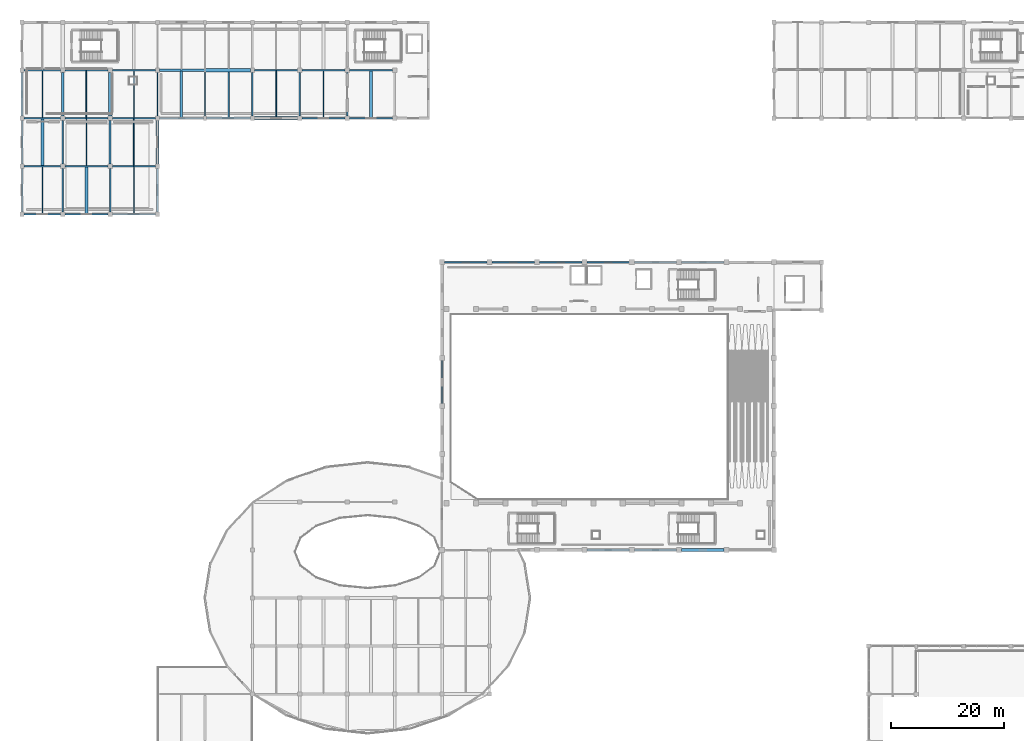
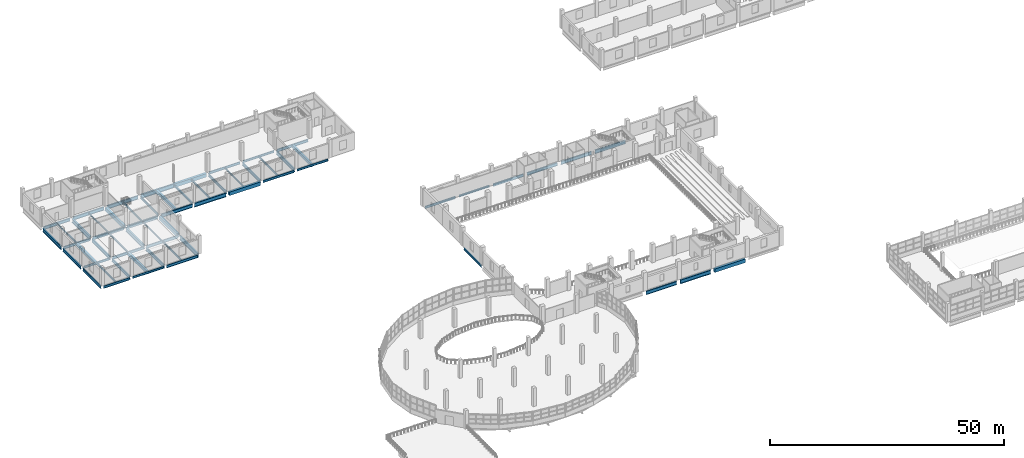
# One storey, part 24 of 77: 62 beams.
"""IFC4 building model written with IfcOpenShell, lengths in metres."""

from ifc_helpers import new_model, si_unit, direction, frame, origin, origin_2d, place, context, subcontext, project, spatial, rectangle, i_section, extrude, material, material_profile, profile_set, type_object, element, save


model = new_model("IFC4")

# Units and contexts
model_context = context("Model", 3, precision=1e-05, world=origin(), true_north=direction((0.0, 1.0)))
body_context = subcontext(model_context, "Body", "Model", "MODEL_VIEW")
ifc_project = project(units=[si_unit("LENGTHUNIT", "METRE"), si_unit("AREAUNIT", "SQUARE_METRE"), si_unit("VOLUMEUNIT", "CUBIC_METRE"), si_unit("PLANEANGLEUNIT", "RADIAN"), si_unit("MASSUNIT", "GRAM", prefix="KILO")], contexts=[model_context])

# Site, building, storey
site_placement = place(None, origin())
site = spatial("IfcSite", under=ifc_project, at=site_placement, CompositionType="ELEMENT")
building_placement = place(site_placement, origin())
building = spatial("IfcBuilding", under=site, at=building_placement, Name="Solvento Point Concert Hall", CompositionType="ELEMENT")
storey_placement = place(building_placement, frame((0.0, 0.0, 10.199951171875)))
storey = spatial("IfcBuildingStorey", under=building, at=storey_placement, Name="L02", CompositionType="ELEMENT", Elevation=10.199951171875)

# Beams
ifc_material_1 = material(Name="Concrete C35/45", Category="concrete")
ifc_material_profile_1 = material_profile(ifc_material_1, rectangle(XDim=0.47998046875, YDim=0.780029296875, at=origin_2d()), Name="RC-BM-480X780")
ifc_profile_set_1 = profile_set([ifc_material_profile_1], Name="Concrete C35/45")
beam_type_1 = type_object("IfcBeamType", Name="Beam_RC_480x780", PredefinedType="BEAM", material=ifc_profile_set_1)
for number, where, z_axis, x_axis, name in (
    (1, (3.60009765625, 110.592041015625, -0.723876953125), (0.0, 1.0, 0.0), (-1.0, 0.0, 0.0), "Secondary floor joist B-74 L02"),
    (2, (11.39990234375, 102.092041015625, -0.723876953125), (0.0, 1.0, 0.0), (-1.0, 0.0, 0.0), "Secondary floor joist B-74 L02"),
):
    element("IfcBeam", number, at=place(storey_placement, frame(where, z_axis=z_axis, x_axis=x_axis)), inside=storey, type_object=beam_type_1, Name=name, PredefinedType="BEAM", context=body_context, shape_type="SweptSolid", body=[
        extrude(rectangle(XDim=0.47998046875, YDim=0.780029296875, at=origin_2d()), origin(), (0.0, 0.0, 1.0), 8.294921875),
    ])
beam_1_placement = place(storey_placement, frame((28.199951171875, 119.138916015625, -0.6640625), z_axis=(0.0, 1.0, 0.0), x_axis=(-1.0, 0.0, 0.0)))
element("IfcBeam", 3, at=beam_1_placement, inside=storey, type_object=beam_type_1, Name="Secondary floor joist B-74 L02", PredefinedType="BEAM", context=body_context, shape_type="SweptSolid", body=[
    extrude(rectangle(XDim=0.47998046875, YDim=0.780029296875, at=origin_2d()), origin(), (0.0, 0.0, 1.0), 8.195556640625),
])
beam_2_placement = place(storey_placement, frame((61.800048828125, 119.092041015625, -0.6640625), z_axis=(0.0, 1.0, 0.0), x_axis=(-1.0, 0.0, 0.0)))
element("IfcBeam", 4, at=beam_2_placement, inside=storey, type_object=beam_type_1, Name="Secondary floor joist B-74 L02", PredefinedType="BEAM", context=body_context, shape_type="SweptSolid", body=[
    extrude(rectangle(XDim=0.47998046875, YDim=0.780029296875, at=origin_2d()), origin(), (0.0, 0.0, 1.0), 8.294921875),
])
ifc_material_2 = material(Name="Structural Steel ASTM A992 Grade 50", Category="steel")
ifc_material_profile_2 = material_profile(ifc_material_2, i_section(OverallWidth=0.20947265625, OverallDepth=0.532958984375, WebThickness=0.01025390625, FlangeThickness=0.015625, at=origin_2d()), Name="W21X62")
ifc_profile_set_2 = profile_set([ifc_material_profile_2], Name="Structural Steel ASTM A992 Grade 50")
beam_type_2 = type_object("IfcBeamType", Name="Beam_W21X62", PredefinedType="BEAM", material=ifc_profile_set_2)
beam_3_placement = place(storey_placement, frame((3.60009765625, 102.09912109375, -0.600341796875), z_axis=(0.0, 1.0, 0.0), x_axis=(-1.0, 0.0, 0.0)))
element("IfcBeam", 5, at=beam_3_placement, inside=storey, type_object=beam_type_2, Name="Secondary floor joist B-25 L02", PredefinedType="BEAM", context=body_context, shape_type="SweptSolid", body=[
    extrude(i_section(OverallWidth=0.20947265625, OverallDepth=0.532958984375, WebThickness=0.01025390625, FlangeThickness=0.015625, at=origin_2d()), origin(), (0.0, 0.0, 1.0), 8.308837890625),
])
beam_4_placement = place(storey_placement, frame((19.800048828125, 119.131103515625, -0.600341796875), z_axis=(0.0, 1.0, 0.0), x_axis=(-1.0, 0.0, 0.0)))
element("IfcBeam", 6, at=beam_4_placement, inside=storey, type_object=beam_type_2, Name="Secondary floor joist B-25 L02", PredefinedType="BEAM", context=body_context, shape_type="SweptSolid", body=[
    extrude(i_section(OverallWidth=0.20947265625, OverallDepth=0.532958984375, WebThickness=0.01025390625, FlangeThickness=0.015625, at=origin_2d()), origin(), (0.0, 0.0, 1.0), 8.22998046875),
])
beam_5_placement = place(storey_placement, frame((53.39990234375, 119.09912109375, -0.54052734375), z_axis=(0.0, 1.0, 0.0), x_axis=(-1.0, 0.0, 0.0)))
element("IfcBeam", 7, at=beam_5_placement, inside=storey, type_object=beam_type_2, Name="Secondary floor joist B-25 L02", PredefinedType="BEAM", context=body_context, shape_type="SweptSolid", body=[
    extrude(i_section(OverallWidth=0.20947265625, OverallDepth=0.532958984375, WebThickness=0.01025390625, FlangeThickness=0.015625, at=origin_2d()), origin(), (0.0, 0.0, 1.0), 8.308837890625),
])
ifc_material_3 = material(Name="Structural Steel ASTM A992 Grade 50", Category="steel")
ifc_material_profile_3 = material_profile(ifc_material_3, i_section(OverallWidth=0.214111328125, OverallDepth=0.549072265625, WebThickness=0.0146484375, FlangeThickness=0.023681640625, at=origin_2d()), Name="W21X93")
ifc_profile_set_3 = profile_set([ifc_material_profile_3], Name="Structural Steel ASTM A992 Grade 50")
beam_type_3 = type_object("IfcBeamType", Name="Beam_W21X93", PredefinedType="BEAM", material=ifc_profile_set_3)
beam_6_placement = place(storey_placement, frame((83.243896484375, 93.5, -0.718505859375), z_axis=(1.0, 0.0, 0.0), x_axis=(0.0, 1.0, 0.0)))
element("IfcBeam", 8, at=beam_6_placement, inside=storey, type_object=beam_type_3, Name="Primary girder B-48 L02", PredefinedType="BEAM", context=body_context, shape_type="SweptSolid", body=[
    extrude(i_section(OverallWidth=0.214111328125, OverallDepth=0.549072265625, WebThickness=0.0146484375, FlangeThickness=0.023681640625, at=origin_2d()), origin(), (0.0, 0.0, 1.0), 7.51220703125),
])
beam_7_placement = place(storey_placement, frame((7.569091796875, 102.0, -0.6083984375), z_axis=(1.0, 0.0, 0.0), x_axis=(0.0, 1.0, 0.0)))
element("IfcBeam", 9, at=beam_7_placement, inside=storey, type_object=beam_type_3, Name="Primary girder B-48 L02", PredefinedType="BEAM", context=body_context, shape_type="SweptSolid", body=[
    extrude(i_section(OverallWidth=0.214111328125, OverallDepth=0.549072265625, WebThickness=0.0146484375, FlangeThickness=0.023681640625, at=origin_2d()), origin(), (0.0, 0.0, 1.0), 7.661865234375),
])
beam_8_placement = place(storey_placement, frame((0.368896484375, 110.5, -0.6083984375), z_axis=(1.0, 0.0, 0.0), x_axis=(0.0, 1.0, 0.0)))
element("IfcBeam", 10, at=beam_8_placement, inside=storey, type_object=beam_type_3, Name="Primary girder B-48 L02", PredefinedType="BEAM", context=body_context, shape_type="SweptSolid", body=[
    extrude(i_section(OverallWidth=0.214111328125, OverallDepth=0.549072265625, WebThickness=0.0146484375, FlangeThickness=0.023681640625, at=origin_2d()), origin(), (0.0, 0.0, 1.0), 6.462158203125),
])
beam_9_placement = place(storey_placement, frame((57.968994140625, 119.0, -0.54833984375), z_axis=(1.0, 0.0, 0.0), x_axis=(0.0, 1.0, 0.0)))
element("IfcBeam", 11, at=beam_9_placement, inside=storey, type_object=beam_type_3, Name="Primary girder B-48 L02", PredefinedType="BEAM", context=body_context, shape_type="SweptSolid", body=[
    extrude(i_section(OverallWidth=0.214111328125, OverallDepth=0.549072265625, WebThickness=0.0146484375, FlangeThickness=0.023681640625, at=origin_2d()), origin(), (0.0, 0.0, 1.0), 7.662109375),
])
beam_10_placement = place(storey_placement, frame((49.569091796875, 127.5, -0.54833984375), z_axis=(1.0, 0.0, 0.0), x_axis=(0.0, 1.0, 0.0)))
element("IfcBeam", 12, at=beam_10_placement, inside=storey, type_object=beam_type_3, Name="Primary girder B-48 L02", PredefinedType="BEAM", context=body_context, shape_type="SweptSolid", body=[
    extrude(i_section(OverallWidth=0.214111328125, OverallDepth=0.549072265625, WebThickness=0.0146484375, FlangeThickness=0.023681640625, at=origin_2d()), origin(), (0.0, 0.0, 1.0), 7.661865234375),
])
beam_11_placement = place(storey_placement, frame((32.39990234375, 119.39404296875, -0.54833984375), z_axis=(0.0, 1.0, 0.0), x_axis=(-1.0, 0.0, 0.0)))
element("IfcBeam", 13, at=beam_11_placement, inside=storey, type_object=beam_type_3, Name="Primary girder B-48 L02", PredefinedType="BEAM", context=body_context, shape_type="SweptSolid", body=[
    extrude(i_section(OverallWidth=0.214111328125, OverallDepth=0.549072265625, WebThickness=0.0146484375, FlangeThickness=0.023681640625, at=origin_2d()), origin(), (0.0, 0.0, 1.0), 7.88037109375),
])
ifc_material_4 = material(Name="Structural Steel ASTM A992 Grade 50", Category="steel")
ifc_material_profile_4 = material_profile(ifc_material_4, i_section(OverallWidth=0.228515625, OverallDepth=0.60791015625, WebThickness=0.01123046875, FlangeThickness=0.017333984375, at=origin_2d()), Name="W24X76")
ifc_profile_set_4 = profile_set([ifc_material_profile_4], Name="Structural Steel ASTM A992 Grade 50")
beam_type_4 = type_object("IfcBeamType", Name="Beam_W24X76", PredefinedType="BEAM", material=ifc_profile_set_4)
beam_12_placement = place(storey_placement, frame((74.843994140625, 93.5, -0.748046875), z_axis=(1.0, 0.0, 0.0), x_axis=(0.0, 1.0, 0.0)))
element("IfcBeam", 14, at=beam_12_placement, inside=storey, type_object=beam_type_4, Name="Primary girder B-42 L02", PredefinedType="BEAM", context=body_context, shape_type="SweptSolid", body=[
    extrude(i_section(OverallWidth=0.228515625, OverallDepth=0.60791015625, WebThickness=0.01123046875, FlangeThickness=0.017333984375, at=origin_2d()), origin(), (0.0, 0.0, 1.0), 7.511962890625),
])
beam_13_placement = place(storey_placement, frame((0.368896484375, 102.0, -0.637939453125), z_axis=(1.0, 0.0, 0.0), x_axis=(0.0, 1.0, 0.0)))
element("IfcBeam", 15, at=beam_13_placement, inside=storey, type_object=beam_type_4, Name="Primary girder B-42 L02", PredefinedType="BEAM", context=body_context, shape_type="SweptSolid", body=[
    extrude(i_section(OverallWidth=0.228515625, OverallDepth=0.60791015625, WebThickness=0.01123046875, FlangeThickness=0.017333984375, at=origin_2d()), origin(), (0.0, 0.0, 1.0), 6.462158203125),
])
beam_14_placement = place(storey_placement, frame((49.569091796875, 119.0, -0.577880859375), z_axis=(1.0, 0.0, 0.0), x_axis=(0.0, 1.0, 0.0)))
element("IfcBeam", 16, at=beam_14_placement, inside=storey, type_object=beam_type_4, Name="Primary girder B-42 L02", PredefinedType="BEAM", context=body_context, shape_type="SweptSolid", body=[
    extrude(i_section(OverallWidth=0.228515625, OverallDepth=0.60791015625, WebThickness=0.01123046875, FlangeThickness=0.017333984375, at=origin_2d()), origin(), (0.0, 0.0, 1.0), 7.661865234375),
])
beam_15_placement = place(storey_placement, frame((41.1689453125, 127.5, -0.577880859375), z_axis=(1.0, 0.0, 0.0), x_axis=(0.0, 1.0, 0.0)))
element("IfcBeam", 17, at=beam_15_placement, inside=storey, type_object=beam_type_4, Name="Primary girder B-42 L02", PredefinedType="BEAM", context=body_context, shape_type="SweptSolid", body=[
    extrude(i_section(OverallWidth=0.228515625, OverallDepth=0.60791015625, WebThickness=0.01123046875, FlangeThickness=0.017333984375, at=origin_2d()), origin(), (0.0, 0.0, 1.0), 7.662109375),
])
beam_16_placement = place(storey_placement, frame((24.0, 119.368896484375, -0.577880859375), z_axis=(0.0, 1.0, 0.0), x_axis=(-1.0, 0.0, 0.0)))
element("IfcBeam", 18, at=beam_16_placement, inside=storey, type_object=beam_type_4, Name="Primary girder B-42 L02", PredefinedType="BEAM", context=body_context, shape_type="SweptSolid", body=[
    extrude(i_section(OverallWidth=0.228515625, OverallDepth=0.60791015625, WebThickness=0.01123046875, FlangeThickness=0.017333984375, at=origin_2d()), origin(), (0.0, 0.0, 1.0), 7.76220703125),
])
beam_17_placement = place(storey_placement, frame((74.39990234375, 68.444091796875, -0.748046875), z_axis=(0.0, 1.0, 0.0), x_axis=(-1.0, 0.0, 0.0)))
element("IfcBeam", 19, at=beam_17_placement, inside=storey, type_object=beam_type_4, Name="Primary girder B-42 L02", PredefinedType="BEAM", context=body_context, shape_type="SweptSolid", body=[
    extrude(i_section(OverallWidth=0.228515625, OverallDepth=0.60791015625, WebThickness=0.01123046875, FlangeThickness=0.017333984375, at=origin_2d()), origin(), (0.0, 0.0, 1.0), 7.61181640625),
])
ifc_material_5 = material(Name="Concrete C35/45", Category="concrete")
ifc_material_profile_5 = material_profile(ifc_material_5, rectangle(XDim=0.580078125, YDim=0.919921875, at=origin_2d()), Name="RC-BM-580X920")
ifc_profile_set_5 = profile_set([ifc_material_profile_5], Name="Concrete C35/45")
beam_type_5 = type_object("IfcBeamType", Name="Girder_RC_580x920", PredefinedType="USERDEFINED", material=ifc_profile_set_5)
beam_18_placement = place(storey_placement, frame((116.843994140625, 42.5, -0.904052734375), z_axis=(1.0, 0.0, 0.0), x_axis=(0.0, 1.0, 0.0)))
element("IfcBeam", 20, at=beam_18_placement, inside=storey, type_object=beam_type_5, Name="Primary girder B-95 L02", ObjectType="GIRDER", PredefinedType="USERDEFINED", context=body_context, shape_type="SweptSolid", body=[
    extrude(rectangle(XDim=0.580078125, YDim=0.919921875, at=origin_2d()), origin(), (0.0, 0.0, 1.0), 7.511962890625),
])
beam_19_placement = place(storey_placement, frame((41.1689453125, 119.0, -0.73388671875), z_axis=(1.0, 0.0, 0.0), x_axis=(0.0, 1.0, 0.0)))
element("IfcBeam", 21, at=beam_19_placement, inside=storey, type_object=beam_type_5, Name="Primary girder B-95 L02", ObjectType="GIRDER", PredefinedType="USERDEFINED", context=body_context, shape_type="SweptSolid", body=[
    extrude(rectangle(XDim=0.580078125, YDim=0.919921875, at=origin_2d()), origin(), (0.0, 0.0, 1.0), 7.662109375),
])
beam_20_placement = place(storey_placement, frame((32.39990234375, 127.5, -0.73388671875), z_axis=(1.0, 0.0, 0.0), x_axis=(0.0, 1.0, 0.0)))
element("IfcBeam", 22, at=beam_20_placement, inside=storey, type_object=beam_type_5, Name="Primary girder B-95 L02", ObjectType="GIRDER", PredefinedType="USERDEFINED", context=body_context, shape_type="SweptSolid", body=[
    extrude(rectangle(XDim=0.580078125, YDim=0.919921875, at=origin_2d()), origin(), (0.0, 0.0, 1.0), 8.031005859375),
])
for number, where, z_axis, x_axis, name in (
    (23, (15.60009765625, 119.368896484375, -0.73388671875), (0.0, 1.0, 0.0), (-1.0, 0.0, 0.0), "Primary girder B-95 L02"),
    (24, (24.0, 110.868896484375, -0.7939453125), (0.0, 1.0, 0.0), (-1.0, 0.0, 0.0), "Primary girder B-95 L02"),
):
    element("IfcBeam", number, at=place(storey_placement, frame(where, z_axis=z_axis, x_axis=x_axis)), inside=storey, type_object=beam_type_5, Name=name, ObjectType="GIRDER", PredefinedType="USERDEFINED", context=body_context, shape_type="SweptSolid", body=[
        extrude(rectangle(XDim=0.580078125, YDim=0.919921875, at=origin_2d()), origin(), (0.0, 0.0, 1.0), 7.76220703125),
    ])
ifc_material_6 = material(Name="Structural Steel ASTM A992 Grade 50", Category="steel")
ifc_material_profile_6 = material_profile(ifc_material_6, i_section(OverallWidth=0.256103515625, OverallDepth=0.693115234375, WebThickness=0.014404296875, FlangeThickness=0.023681640625, at=origin_2d()), Name="W27X114")
ifc_profile_set_6 = profile_set([ifc_material_profile_6], Name="Structural Steel ASTM A992 Grade 50")
beam_type_6 = type_object("IfcBeamType", Name="Girder_W27X114", PredefinedType="USERDEFINED", material=ifc_profile_set_6)
beam_21_placement = place(storey_placement, frame((91.64404296875, 93.5, -0.79052734375), z_axis=(1.0, 0.0, 0.0), x_axis=(0.0, 1.0, 0.0)))
element("IfcBeam", 25, at=beam_21_placement, inside=storey, type_object=beam_type_6, Name="Primary girder B-23 L02", ObjectType="GIRDER", PredefinedType="USERDEFINED", context=body_context, shape_type="SweptSolid", body=[
    extrude(i_section(OverallWidth=0.256103515625, OverallDepth=0.693115234375, WebThickness=0.014404296875, FlangeThickness=0.023681640625, at=origin_2d()), origin(), (0.0, 0.0, 1.0), 7.511962890625),
])
beam_22_placement = place(storey_placement, frame((15.968994140625, 102.0, -0.680419921875), z_axis=(1.0, 0.0, 0.0), x_axis=(0.0, 1.0, 0.0)))
element("IfcBeam", 26, at=beam_22_placement, inside=storey, type_object=beam_type_6, Name="Primary girder B-23 L02", ObjectType="GIRDER", PredefinedType="USERDEFINED", context=body_context, shape_type="SweptSolid", body=[
    extrude(i_section(OverallWidth=0.256103515625, OverallDepth=0.693115234375, WebThickness=0.014404296875, FlangeThickness=0.023681640625, at=origin_2d()), origin(), (0.0, 0.0, 1.0), 7.662109375),
])
beam_23_placement = place(storey_placement, frame((7.569091796875, 110.5, -0.680419921875), z_axis=(1.0, 0.0, 0.0), x_axis=(0.0, 1.0, 0.0)))
element("IfcBeam", 27, at=beam_23_placement, inside=storey, type_object=beam_type_6, Name="Primary girder B-23 L02", ObjectType="GIRDER", PredefinedType="USERDEFINED", context=body_context, shape_type="SweptSolid", body=[
    extrude(i_section(OverallWidth=0.256103515625, OverallDepth=0.693115234375, WebThickness=0.014404296875, FlangeThickness=0.023681640625, at=origin_2d()), origin(), (0.0, 0.0, 1.0), 7.661865234375),
])
beam_24_placement = place(storey_placement, frame((0.368896484375, 119.0, -0.680419921875), z_axis=(1.0, 0.0, 0.0), x_axis=(0.0, 1.0, 0.0)))
element("IfcBeam", 28, at=beam_24_placement, inside=storey, type_object=beam_type_6, Name="Primary girder B-23 L02", ObjectType="GIRDER", PredefinedType="USERDEFINED", context=body_context, shape_type="SweptSolid", body=[
    extrude(i_section(OverallWidth=0.256103515625, OverallDepth=0.693115234375, WebThickness=0.014404296875, FlangeThickness=0.023681640625, at=origin_2d()), origin(), (0.0, 0.0, 1.0), 6.462158203125),
])
beam_25_placement = place(storey_placement, frame((57.968994140625, 127.5, -0.620361328125), z_axis=(1.0, 0.0, 0.0), x_axis=(0.0, 1.0, 0.0)))
element("IfcBeam", 29, at=beam_25_placement, inside=storey, type_object=beam_type_6, Name="Primary girder B-23 L02", ObjectType="GIRDER", PredefinedType="USERDEFINED", context=body_context, shape_type="SweptSolid", body=[
    extrude(i_section(OverallWidth=0.256103515625, OverallDepth=0.693115234375, WebThickness=0.014404296875, FlangeThickness=0.023681640625, at=origin_2d()), origin(), (0.0, 0.0, 1.0), 7.662109375),
])
beam_26_placement = place(storey_placement, frame((40.800048828125, 119.368896484375, -0.620361328125), z_axis=(0.0, 1.0, 0.0), x_axis=(-1.0, 0.0, 0.0)))
element("IfcBeam", 30, at=beam_26_placement, inside=storey, type_object=beam_type_6, Name="Primary girder B-23 L02", ObjectType="GIRDER", PredefinedType="USERDEFINED", context=body_context, shape_type="SweptSolid", body=[
    extrude(i_section(OverallWidth=0.256103515625, OverallDepth=0.693115234375, WebThickness=0.014404296875, FlangeThickness=0.023681640625, at=origin_2d()), origin(), (0.0, 0.0, 1.0), 7.76220703125),
])
ifc_material_7 = material(Name="Structural Steel ASTM A992 Grade 50", Category="steel")
ifc_material_profile_7 = material_profile(ifc_material_7, i_section(OverallWidth=0.26806640625, OverallDepth=0.77001953125, WebThickness=0.015625, FlangeThickness=0.025390625, at=origin_2d()), Name="W30X132")
ifc_profile_set_7 = profile_set([ifc_material_profile_7], Name="Structural Steel ASTM A992 Grade 50")
beam_type_7 = type_object("IfcBeamType", Name="Girder_W30X132", PredefinedType="USERDEFINED", material=ifc_profile_set_7)
beam_27_placement = place(storey_placement, frame((100.0439453125, 93.5, -0.828857421875), z_axis=(1.0, 0.0, 0.0), x_axis=(0.0, 1.0, 0.0)))
element("IfcBeam", 31, at=beam_27_placement, inside=storey, type_object=beam_type_7, Name="Primary girder B-68 L02", ObjectType="GIRDER", PredefinedType="USERDEFINED", context=body_context, shape_type="SweptSolid", body=[
    extrude(i_section(OverallWidth=0.26806640625, OverallDepth=0.77001953125, WebThickness=0.015625, FlangeThickness=0.025390625, at=origin_2d()), origin(), (0.0, 0.0, 1.0), 7.511962890625),
])
beam_28_placement = place(storey_placement, frame((15.968994140625, 110.5, -0.718994140625), z_axis=(1.0, 0.0, 0.0), x_axis=(0.0, 1.0, 0.0)))
element("IfcBeam", 32, at=beam_28_placement, inside=storey, type_object=beam_type_7, Name="Primary girder B-68 L02", ObjectType="GIRDER", PredefinedType="USERDEFINED", context=body_context, shape_type="SweptSolid", body=[
    extrude(i_section(OverallWidth=0.26806640625, OverallDepth=0.77001953125, WebThickness=0.015625, FlangeThickness=0.025390625, at=origin_2d()), origin(), (0.0, 0.0, 1.0), 7.662109375),
])
beam_29_placement = place(storey_placement, frame((7.569091796875, 119.0, -0.718994140625), z_axis=(1.0, 0.0, 0.0), x_axis=(0.0, 1.0, 0.0)))
element("IfcBeam", 33, at=beam_29_placement, inside=storey, type_object=beam_type_7, Name="Primary girder B-68 L02", ObjectType="GIRDER", PredefinedType="USERDEFINED", context=body_context, shape_type="SweptSolid", body=[
    extrude(i_section(OverallWidth=0.26806640625, OverallDepth=0.77001953125, WebThickness=0.015625, FlangeThickness=0.025390625, at=origin_2d()), origin(), (0.0, 0.0, 1.0), 7.661865234375),
])
beam_30_placement = place(storey_placement, frame((0.368896484375, 127.5, -0.658935546875), z_axis=(1.0, 0.0, 0.0), x_axis=(0.0, 1.0, 0.0)))
element("IfcBeam", 34, at=beam_30_placement, inside=storey, type_object=beam_type_7, Name="Primary girder B-68 L02", ObjectType="GIRDER", PredefinedType="USERDEFINED", context=body_context, shape_type="SweptSolid", body=[
    extrude(i_section(OverallWidth=0.26806640625, OverallDepth=0.77001953125, WebThickness=0.015625, FlangeThickness=0.025390625, at=origin_2d()), origin(), (0.0, 0.0, 1.0), 6.462158203125),
])
for number, where, z_axis, x_axis, name in (
    (35, (0.0, 102.368896484375, -0.718994140625), (0.0, 1.0, 0.0), (-1.0, 0.0, 0.0), "Primary girder B-68 L02"),
    (36, (49.199951171875, 119.368896484375, -0.658935546875), (0.0, 1.0, 0.0), (-1.0, 0.0, 0.0), "Primary girder B-68 L02"),
):
    element("IfcBeam", number, at=place(storey_placement, frame(where, z_axis=z_axis, x_axis=x_axis)), inside=storey, type_object=beam_type_7, Name=name, ObjectType="GIRDER", PredefinedType="USERDEFINED", context=body_context, shape_type="SweptSolid", body=[
        extrude(i_section(OverallWidth=0.26806640625, OverallDepth=0.77001953125, WebThickness=0.015625, FlangeThickness=0.025390625, at=origin_2d()), origin(), (0.0, 0.0, 1.0), 7.76220703125),
    ])
ifc_material_8 = material(Name="Structural Steel ASTM A992 Grade 50", Category="steel")
ifc_material_profile_8 = material_profile(ifc_material_8, i_section(OverallWidth=0.2919921875, OverallDepth=0.85888671875, WebThickness=0.01708984375, FlangeThickness=0.031005859375, at=origin_2d()), Name="W33X169")
ifc_profile_set_8 = profile_set([ifc_material_profile_8], Name="Structural Steel ASTM A992 Grade 50")
beam_type_8 = type_object("IfcBeamType", Name="Girder_W33X169", PredefinedType="USERDEFINED", material=ifc_profile_set_8)
beam_31_placement = place(storey_placement, frame((108.444091796875, 93.5, -0.87353515625), z_axis=(1.0, 0.0, 0.0), x_axis=(0.0, 1.0, 0.0)))
element("IfcBeam", 37, at=beam_31_placement, inside=storey, type_object=beam_type_8, Name="Primary girder B-33 L02", ObjectType="GIRDER", PredefinedType="USERDEFINED", context=body_context, shape_type="SweptSolid", body=[
    extrude(i_section(OverallWidth=0.2919921875, OverallDepth=0.85888671875, WebThickness=0.01708984375, FlangeThickness=0.031005859375, at=origin_2d()), origin(), (0.0, 0.0, 1.0), 7.511962890625),
])
beam_32_placement = place(storey_placement, frame((15.968994140625, 119.0, -0.763427734375), z_axis=(1.0, 0.0, 0.0), x_axis=(0.0, 1.0, 0.0)))
element("IfcBeam", 38, at=beam_32_placement, inside=storey, type_object=beam_type_8, Name="Primary girder B-33 L02", ObjectType="GIRDER", PredefinedType="USERDEFINED", context=body_context, shape_type="SweptSolid", body=[
    extrude(i_section(OverallWidth=0.2919921875, OverallDepth=0.85888671875, WebThickness=0.01708984375, FlangeThickness=0.031005859375, at=origin_2d()), origin(), (0.0, 0.0, 1.0), 7.662109375),
])
beam_33_placement = place(storey_placement, frame((7.569091796875, 127.5, -0.703369140625), z_axis=(1.0, 0.0, 0.0), x_axis=(0.0, 1.0, 0.0)))
element("IfcBeam", 39, at=beam_33_placement, inside=storey, type_object=beam_type_8, Name="Primary girder B-33 L02", ObjectType="GIRDER", PredefinedType="USERDEFINED", context=body_context, shape_type="SweptSolid", body=[
    extrude(i_section(OverallWidth=0.2919921875, OverallDepth=0.85888671875, WebThickness=0.01708984375, FlangeThickness=0.031005859375, at=origin_2d()), origin(), (0.0, 0.0, 1.0), 7.661865234375),
])
for number, where, z_axis, x_axis, name in (
    (40, (0.0, 110.868896484375, -0.763427734375), (0.0, 1.0, 0.0), (-1.0, 0.0, 0.0), "Primary girder B-33 L02"),
    (41, (7.199951171875, 102.368896484375, -0.763427734375), (0.0, 1.0, 0.0), (-1.0, 0.0, 0.0), "Primary girder B-33 L02"),
    (42, (57.60009765625, 119.368896484375, -0.703369140625), (0.0, 1.0, 0.0), (-1.0, 0.0, 0.0), "Primary girder B-33 L02"),
):
    element("IfcBeam", number, at=place(storey_placement, frame(where, z_axis=z_axis, x_axis=x_axis)), inside=storey, type_object=beam_type_8, Name=name, ObjectType="GIRDER", PredefinedType="USERDEFINED", context=body_context, shape_type="SweptSolid", body=[
        extrude(i_section(OverallWidth=0.2919921875, OverallDepth=0.85888671875, WebThickness=0.01708984375, FlangeThickness=0.031005859375, at=origin_2d()), origin(), (0.0, 0.0, 1.0), 7.76220703125),
    ])
ifc_material_9 = material(Name="Structural Steel ASTM A992 Grade 50", Category="steel")
ifc_material_profile_9 = material_profile(ifc_material_9, i_section(OverallWidth=0.3076171875, OverallDepth=0.927001953125, WebThickness=0.019287109375, FlangeThickness=0.031982421875, at=origin_2d()), Name="W36X194")
ifc_profile_set_9 = profile_set([ifc_material_profile_9], Name="Structural Steel ASTM A992 Grade 50")
beam_type_9 = type_object("IfcBeamType", Name="Girder_W36X194", PredefinedType="USERDEFINED", material=ifc_profile_set_9)
for number, where, z_axis, x_axis, name in (
    (43, (100.0439453125, 42.5, -0.907470703125), (1.0, 0.0, 0.0), (0.0, 1.0, 0.0), "Primary girder B-61 L02"),
    (44, (116.843994140625, 93.5, -0.907470703125), (1.0, 0.0, 0.0), (0.0, 1.0, 0.0), "Primary girder B-61 L02"),
):
    element("IfcBeam", number, at=place(storey_placement, frame(where, z_axis=z_axis, x_axis=x_axis)), inside=storey, type_object=beam_type_9, Name=name, ObjectType="GIRDER", PredefinedType="USERDEFINED", context=body_context, shape_type="SweptSolid", body=[
        extrude(i_section(OverallWidth=0.3076171875, OverallDepth=0.927001953125, WebThickness=0.019287109375, FlangeThickness=0.031982421875, at=origin_2d()), origin(), (0.0, 0.0, 1.0), 7.511962890625),
    ])
beam_34_placement = place(storey_placement, frame((24.368896484375, 119.0, -0.737548828125), z_axis=(1.0, 0.0, 0.0), x_axis=(0.0, 1.0, 0.0)))
element("IfcBeam", 45, at=beam_34_placement, inside=storey, type_object=beam_type_9, Name="Primary girder B-61 L02", ObjectType="GIRDER", PredefinedType="USERDEFINED", context=body_context, shape_type="SweptSolid", body=[
    extrude(i_section(OverallWidth=0.3076171875, OverallDepth=0.927001953125, WebThickness=0.019287109375, FlangeThickness=0.031982421875, at=origin_2d()), origin(), (0.0, 0.0, 1.0), 7.787109375),
])
beam_35_placement = place(storey_placement, frame((15.968994140625, 127.5, -0.737548828125), z_axis=(1.0, 0.0, 0.0), x_axis=(0.0, 1.0, 0.0)))
element("IfcBeam", 46, at=beam_35_placement, inside=storey, type_object=beam_type_9, Name="Primary girder B-61 L02", ObjectType="GIRDER", PredefinedType="USERDEFINED", context=body_context, shape_type="SweptSolid", body=[
    extrude(i_section(OverallWidth=0.3076171875, OverallDepth=0.927001953125, WebThickness=0.019287109375, FlangeThickness=0.031982421875, at=origin_2d()), origin(), (0.0, 0.0, 1.0), 7.662109375),
])
for number, where, z_axis, x_axis, name in (
    (47, (0.0, 119.368896484375, -0.737548828125), (0.0, 1.0, 0.0), (-1.0, 0.0, 0.0), "Primary girder B-61 L02"),
    (48, (7.199951171875, 110.868896484375, -0.79736328125), (0.0, 1.0, 0.0), (-1.0, 0.0, 0.0), "Primary girder B-61 L02"),
    (49, (15.60009765625, 102.368896484375, -0.79736328125), (0.0, 1.0, 0.0), (-1.0, 0.0, 0.0), "Primary girder B-61 L02"),
):
    element("IfcBeam", number, at=place(storey_placement, frame(where, z_axis=z_axis, x_axis=x_axis)), inside=storey, type_object=beam_type_9, Name=name, ObjectType="GIRDER", PredefinedType="USERDEFINED", context=body_context, shape_type="SweptSolid", body=[
        extrude(i_section(OverallWidth=0.3076171875, OverallDepth=0.927001953125, WebThickness=0.019287109375, FlangeThickness=0.031982421875, at=origin_2d()), origin(), (0.0, 0.0, 1.0), 7.76220703125),
    ])
ifc_material_10 = material(Name="Structural Steel ASTM A992 Grade 50", Category="steel")
ifc_material_profile_10 = material_profile(ifc_material_10, i_section(OverallWidth=0.361083984375, OverallDepth=1.02587890625, WebThickness=0.01904296875, FlangeThickness=0.0361328125, at=origin_2d()), Name="W40X249")
ifc_profile_set_10 = profile_set([ifc_material_profile_10], Name="Structural Steel ASTM A992 Grade 50")
beam_type_10 = type_object("IfcBeamType", Name="Girder_W40X249", PredefinedType="USERDEFINED", material=ifc_profile_set_10)
beam_36_placement = place(storey_placement, frame((108.444091796875, 42.5, -0.95703125), z_axis=(1.0, 0.0, 0.0), x_axis=(0.0, 1.0, 0.0)))
element("IfcBeam", 50, at=beam_36_placement, inside=storey, type_object=beam_type_10, Name="Primary girder B-29 L02", ObjectType="GIRDER", PredefinedType="USERDEFINED", context=body_context, shape_type="SweptSolid", body=[
    extrude(i_section(OverallWidth=0.361083984375, OverallDepth=1.02587890625, WebThickness=0.01904296875, FlangeThickness=0.0361328125, at=origin_2d()), origin(), (0.0, 0.0, 1.0), 7.511962890625),
])
beam_37_placement = place(storey_placement, frame((32.64404296875, 119.0, -0.786865234375), z_axis=(1.0, 0.0, 0.0), x_axis=(0.0, 1.0, 0.0)))
element("IfcBeam", 51, at=beam_37_placement, inside=storey, type_object=beam_type_10, Name="Primary girder B-29 L02", ObjectType="GIRDER", PredefinedType="USERDEFINED", context=body_context, shape_type="SweptSolid", body=[
    extrude(i_section(OverallWidth=0.361083984375, OverallDepth=1.02587890625, WebThickness=0.01904296875, FlangeThickness=0.0361328125, at=origin_2d()), origin(), (0.0, 0.0, 1.0), 7.786865234375),
])
beam_38_placement = place(storey_placement, frame((24.368896484375, 127.5, -0.786865234375), z_axis=(1.0, 0.0, 0.0), x_axis=(0.0, 1.0, 0.0)))
element("IfcBeam", 52, at=beam_38_placement, inside=storey, type_object=beam_type_10, Name="Primary girder B-29 L02", ObjectType="GIRDER", PredefinedType="USERDEFINED", context=body_context, shape_type="SweptSolid", body=[
    extrude(i_section(OverallWidth=0.361083984375, OverallDepth=1.02587890625, WebThickness=0.01904296875, FlangeThickness=0.0361328125, at=origin_2d()), origin(), (0.0, 0.0, 1.0), 8.031005859375),
])
for number, where, z_axis, x_axis, name in (
    (53, (7.199951171875, 119.368896484375, -0.786865234375), (0.0, 1.0, 0.0), (-1.0, 0.0, 0.0), "Primary girder B-29 L02"),
    (54, (15.60009765625, 110.868896484375, -0.846923828125), (0.0, 1.0, 0.0), (-1.0, 0.0, 0.0), "Primary girder B-29 L02"),
    (55, (24.0, 102.368896484375, -0.846923828125), (0.0, 1.0, 0.0), (-1.0, 0.0, 0.0), "Primary girder B-29 L02"),
):
    element("IfcBeam", number, at=place(storey_placement, frame(where, z_axis=z_axis, x_axis=x_axis)), inside=storey, type_object=beam_type_10, Name=name, ObjectType="GIRDER", PredefinedType="USERDEFINED", context=body_context, shape_type="SweptSolid", body=[
        extrude(i_section(OverallWidth=0.361083984375, OverallDepth=1.02587890625, WebThickness=0.01904296875, FlangeThickness=0.0361328125, at=origin_2d()), origin(), (0.0, 0.0, 1.0), 7.76220703125),
    ])
ifc_material_11 = material(Name="Structural Steel ASTM A992 Grade 50", Category="steel")
ifc_material_profile_11 = material_profile(ifc_material_11, i_section(OverallWidth=0.177490234375, OverallDepth=0.403076171875, WebThickness=0.007568359375, FlangeThickness=0.010986328125, at=origin_2d()), Name="W16X36")
ifc_profile_set_11 = profile_set([ifc_material_profile_11], Name="Structural Steel ASTM A992 Grade 50")
beam_type_11 = type_object("IfcBeamType", Name="Joist_W16X36", PredefinedType="JOIST", material=ifc_profile_set_11)
for number, where, z_axis, x_axis, name in (
    (56, (11.39990234375, 119.118896484375, -0.535400390625), (0.0, 1.0, 0.0), (-1.0, 0.0, 0.0), "Secondary floor joist B-30 L02"),
    (57, (19.800048828125, 110.618896484375, -0.535400390625), (0.0, 1.0, 0.0), (-1.0, 0.0, 0.0), "Secondary floor joist B-30 L02"),
):
    element("IfcBeam", number, at=place(storey_placement, frame(where, z_axis=z_axis, x_axis=x_axis)), inside=storey, type_object=beam_type_11, Name=name, PredefinedType="JOIST", context=body_context, shape_type="SweptSolid", body=[
        extrude(i_section(OverallWidth=0.177490234375, OverallDepth=0.403076171875, WebThickness=0.007568359375, FlangeThickness=0.010986328125, at=origin_2d()), origin(), (0.0, 0.0, 1.0), 8.25),
    ])
beam_39_placement = place(storey_placement, frame((45.0, 119.27490234375, -0.475341796875), z_axis=(0.0, 1.0, 0.0), x_axis=(-1.0, 0.0, 0.0)))
element("IfcBeam", 58, at=beam_39_placement, inside=storey, type_object=beam_type_11, Name="Secondary floor joist B-30 L02", PredefinedType="JOIST", context=body_context, shape_type="SweptSolid", body=[
    extrude(i_section(OverallWidth=0.177490234375, OverallDepth=0.403076171875, WebThickness=0.007568359375, FlangeThickness=0.010986328125, at=origin_2d()), origin(), (0.0, 0.0, 1.0), 8.1259765625),
])
ifc_material_12 = material(Name="Structural Steel ASTM A992 Grade 50", Category="steel")
ifc_material_profile_12 = material_profile(ifc_material_12, i_section(OverallWidth=0.1904296875, OverallDepth=0.45703125, WebThickness=0.009033203125, FlangeThickness=0.014404296875, at=origin_2d()), Name="W18X50")
ifc_profile_set_12 = profile_set([ifc_material_profile_12], Name="Structural Steel ASTM A992 Grade 50")
beam_type_12 = type_object("IfcBeamType", Name="Joist_W18X50", PredefinedType="JOIST", material=ifc_profile_set_12)
for number, where, z_axis, x_axis, name in (
    (59, (3.60009765625, 119.113037109375, -0.5625), (0.0, 1.0, 0.0), (-1.0, 0.0, 0.0), "Secondary floor joist B-66 L02"),
    (60, (11.39990234375, 110.613037109375, -0.5625), (0.0, 1.0, 0.0), (-1.0, 0.0, 0.0), "Secondary floor joist B-66 L02"),
    (61, (19.800048828125, 102.113037109375, -0.5625), (0.0, 1.0, 0.0), (-1.0, 0.0, 0.0), "Secondary floor joist B-66 L02"),
):
    element("IfcBeam", number, at=place(storey_placement, frame(where, z_axis=z_axis, x_axis=x_axis)), inside=storey, type_object=beam_type_12, Name=name, PredefinedType="JOIST", context=body_context, shape_type="SweptSolid", body=[
        extrude(i_section(OverallWidth=0.1904296875, OverallDepth=0.45703125, WebThickness=0.009033203125, FlangeThickness=0.014404296875, at=origin_2d()), origin(), (0.0, 0.0, 1.0), 8.26806640625),
    ])
beam_40_placement = place(storey_placement, frame((36.60009765625, 119.16552734375, -0.50244140625), z_axis=(0.0, 1.0, 0.0), x_axis=(-1.0, 0.0, 0.0)))
element("IfcBeam", 62, at=beam_40_placement, inside=storey, type_object=beam_type_12, Name="Secondary floor joist B-66 L02", PredefinedType="JOIST", context=body_context, shape_type="SweptSolid", body=[
    extrude(i_section(OverallWidth=0.1904296875, OverallDepth=0.45703125, WebThickness=0.009033203125, FlangeThickness=0.014404296875, at=origin_2d()), origin(), (0.0, 0.0, 1.0), 8.0595703125),
])

save(model, "model.ifc")
